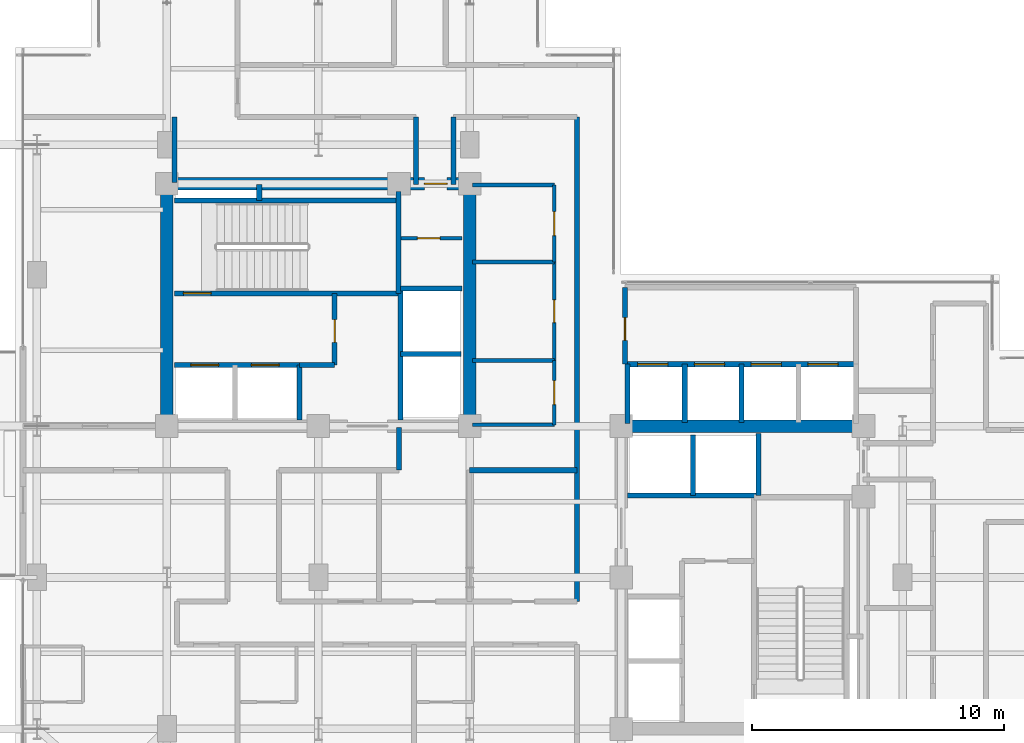
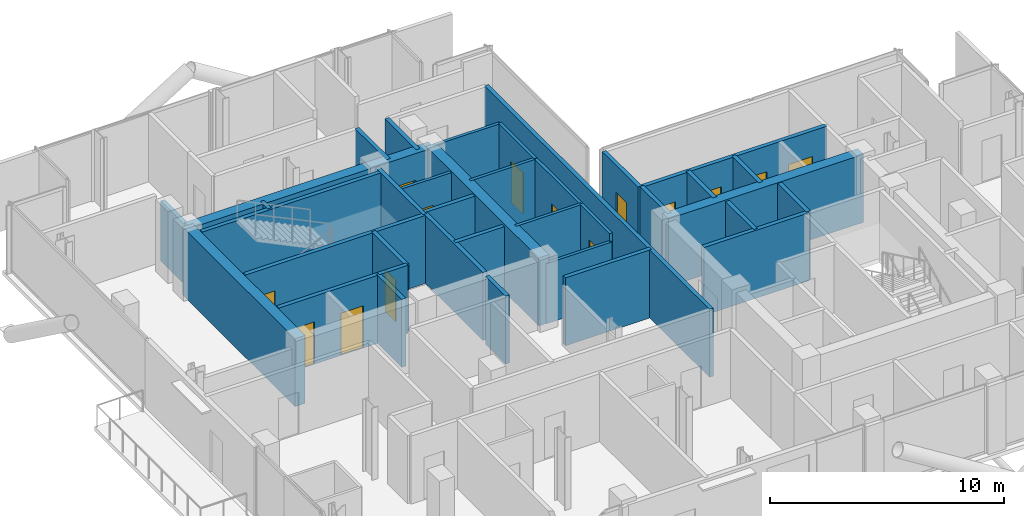
# One storey, part 18 of 22: 37 walls, 14 doors, 14 openings.
"""IFC4 building model written with IfcOpenShell, lengths in metres."""

from ifc_helpers import new_model, si_unit, direction, frame, frame_2d, origin, place, context, subcontext, project, spatial, rectangle, extrude, material, layer, layer_set, type_object, element, fill, save


model = new_model("IFC4")

# Units and contexts
model_context = context("Model", 3, precision=1e-05, world=origin(), true_north=direction((0.0, 1.0)))
body_context = subcontext(model_context, "Body", "Model", "MODEL_VIEW")
ifc_project = project(units=[si_unit("LENGTHUNIT", "METRE"), si_unit("AREAUNIT", "SQUARE_METRE"), si_unit("VOLUMEUNIT", "CUBIC_METRE"), si_unit("PLANEANGLEUNIT", "RADIAN"), si_unit("MASSUNIT", "GRAM", prefix="KILO"), si_unit("THERMODYNAMICTEMPERATUREUNIT", "KELVIN"), si_unit("POWERUNIT", "WATT")], contexts=[model_context])

# Site, building, storey
site_placement = place(None, origin())
site = spatial("IfcSite", under=ifc_project, at=site_placement, CompositionType="ELEMENT")
building_placement = place(site_placement, origin())
building = spatial("IfcBuilding", under=site, at=building_placement, Name="Svarakhadi Broadcast Tower", CompositionType="ELEMENT")
storey_placement = place(building_placement, frame((0.0, 0.0, 172.949951171875)))
storey = spatial("IfcBuildingStorey", under=building, at=storey_placement, Name="L42", CompositionType="ELEMENT", Elevation=172.949951171875)

# Walls
ifc_material_1 = material(Name="Double-Stud Acoustic Studio Partition STC-62", Category="gypsum")
ifc_layer_1 = layer(ifc_material_1, 0.199951171875)
ifc_layer_set_1 = layer_set([ifc_layer_1], Name="Double-Stud Acoustic Studio Partition STC-62")
wall_type_1 = type_object("IfcWallType", Name="Wall_Acoust_200", PredefinedType="PARTITIONING", material=ifc_layer_set_1)
wall_1_placement = place(storey_placement, frame((15.199951171875, 17.949951171875, 0.0), z_axis=(0.0, 0.0, 1.0), x_axis=(0.0, -1.0, 0.0)))
element("IfcWall", 1, at=wall_1_placement, inside=storey, type_object=wall_type_1, Name="L42 Zone 2/3 Corridor Wall", PredefinedType="PARTITIONING", context=body_context, shape_type="SweptSolid", body=[
    extrude(rectangle(XDim=1.699951171875, YDim=0.199951171875, at=frame_2d((0.85009765625, 0.0))), origin(), (0.0, 0.0, 1.0), 3.5400390625),
])
wall_2_placement = place(storey_placement, frame((22.25, 11.050048828125, 0.0), z_axis=(0.0, 0.0, 1.0), x_axis=(0.0, 1.0, 0.0)))
element("IfcWall", 2, at=wall_2_placement, inside=storey, type_object=wall_type_1, Name="L42 Zone 2/3 Corridor Wall", PredefinedType="PARTITIONING", context=body_context, shape_type="SweptSolid", body=[
    extrude(rectangle(XDim=19.199951171875, YDim=0.199951171875, at=frame_2d((9.60009765625, 0.0))), origin(), (0.0, 0.0, 1.0), 3.5400390625),
])
for number, where, z_axis, x_axis, name in (
    (3, (17.35009765625, 30.25, 0.0), (0.0, 0.0, 1.0), (0.0, -1.0, 0.0), "L42 Zone 2/3 Corridor Wall"),
    (4, (15.8798828125, 27.580078125, 0.0), (0.0, 0.0, 1.0), (0.0, 1.0, 0.0), "L42 Zone 2/3 Corridor Wall"),
):
    element("IfcWall", number, at=place(storey_placement, frame(where, z_axis=z_axis, x_axis=x_axis)), inside=storey, type_object=wall_type_1, Name=name, PredefinedType="PARTITIONING", context=body_context, shape_type="SweptSolid", body=[
        extrude(rectangle(XDim=2.669921875, YDim=0.199951171875, at=frame_2d((1.3349609375, 0.0))), origin(), (0.0, 0.0, 1.0), 3.5400390625),
    ])
wall_3_placement = place(storey_placement, frame((18.0, 16.25, 0.0), z_axis=(0.0, 0.0, 1.0), x_axis=(1.0, 0.0, 0.0)))
element("IfcWall", 5, at=wall_3_placement, inside=storey, type_object=wall_type_1, Name="L42 Accessible Floor Washroom WC Wall", PredefinedType="PARTITIONING", context=body_context, shape_type="SweptSolid", body=[
    extrude(rectangle(XDim=4.25, YDim=0.199951171875, at=frame_2d((2.125, 0.0))), origin(), (0.0, 0.0, 1.0), 3.5400390625),
])
wall_4_placement = place(storey_placement, frame((6.300048828125, 27.64990234375, 0.0), z_axis=(0.0, 0.0, 1.0), x_axis=(0.0, 1.0, 0.0)))
element("IfcWall", 6, at=wall_4_placement, inside=storey, type_object=wall_type_1, Name="L42 Guest Library Study Wall", PredefinedType="PARTITIONING", context=body_context, shape_type="SweptSolid", body=[
    extrude(rectangle(XDim=2.60009765625, YDim=0.199951171875, at=frame_2d((1.300048828125, 0.0))), origin(), (0.0, 0.0, 1.0), 3.132080078125),
])
ifc_material_2 = material(Name="Concrete C40/50 (IS 456 M50)", Category="concrete")
ifc_layer_2 = layer(ifc_material_2, 0.199951171875)
ifc_layer_set_2 = layer_set([ifc_layer_2], Name="Concrete C40/50 (IS 456 M50)")
wall_type_2 = type_object("IfcWallType", Name="Wall_Fire_200", PredefinedType="SOLIDWALL", material=ifc_layer_set_2)
wall_5_placement = place(storey_placement, frame((9.659912109375, 26.93994140625, 0.0), z_axis=(0.0, 0.0, 1.0), x_axis=(0.0, 1.0, 0.0)))
element("IfcWall", 7, at=wall_5_placement, inside=storey, type_object=wall_type_2, Name="L42 Wet Riser Shaft East Wall", PredefinedType="SOLIDWALL", context=body_context, shape_type="SweptSolid", body=[
    extrude(rectangle(XDim=0.64013671875, YDim=0.199951171875, at=frame_2d((0.320068359375, 0.0))), origin(), (0.0, 0.0, 1.0), 3.5400390625),
])

# Wall, opening, door
ifc_material_3 = material(Name="Autoclaved Aerated Concrete Blockwork 150 mm", Category="masonry")
ifc_layer_3 = layer(ifc_material_3, 0.14990234375)
ifc_layer_set_3 = layer_set([ifc_layer_3], Name="Autoclaved Aerated Concrete Blockwork 150 mm")
wall_type_3 = type_object("IfcWallType", Name="Wall_Part_150", PredefinedType="PARTITIONING", material=ifc_layer_set_3)
wall_6_placement = place(storey_placement, frame((15.280029296875, 25.43994140625, 0.0), z_axis=(0.0, 0.0, 1.0), x_axis=(1.0, 0.0, 0.0)))
wall_6 = element("IfcWall", 8, at=wall_6_placement, inside=storey, type_object=wall_type_3, Name="L42 West Core Service Split Wall", PredefinedType="PARTITIONING", context=body_context, shape_type="SweptSolid", body=[
    extrude(rectangle(XDim=2.419921875, YDim=0.14990234375, at=frame_2d((1.2099609375, 0.0))), origin(), (0.0, 0.0, 1.0), 3.5400390625),
])
opening_1_placement = place(wall_6_placement, frame((0.64990234375, 0.0, 0.0)))
opening_1 = element("IfcOpeningElement", 9, at=opening_1_placement, cuts=wall_6, Name="Opening D-03", PredefinedType="OPENING", context=body_context, shape_type="SweptSolid", body=[
    extrude(rectangle(XDim=0.89990234375, YDim=2.14990234375, at=frame_2d((0.449951171875, 1.074951171875))), frame((0.0, 0.0849609375, 0.0), z_axis=(0.0, -1.0, 0.0), x_axis=(1.0, 0.0, 0.0)), (0.0, 0.0, 1.0), 0.169921875),
])
ifc_material_4 = material(Name="Galvanised Powder-Coated Fire-Rated Steel Leaf", Category="steel")
door_type_1 = type_object("IfcDoorType", Name="Door_Fire_D03", OperationType="SINGLE_SWING_LEFT", PredefinedType="DOOR", material=ifc_material_4)
door_1_placement = place(opening_1_placement, origin())
door_1 = element("IfcDoor", 10, at=door_1_placement, inside=storey, type_object=door_type_1, Name="L42 West Core Inner Store Door", OperationType="SINGLE_SWING_LEFT", OverallHeight=2.14990234375, OverallWidth=0.89990234375, PredefinedType="DOOR", context=body_context, shape_type="SweptSolid", body=[
    extrude(rectangle(XDim=0.89990234375, YDim=2.14990234375, at=frame_2d((0.449951171875, 1.074951171875))), frame((0.0, 0.02490234375, 0.0), z_axis=(0.0, -1.0, 0.0), x_axis=(1.0, 0.0, 0.0)), (0.0, 0.0, 1.0), 0.050048828125),
])
fill(opening_1, door_1)

# Walls
wall_7_placement = place(storey_placement, frame((18.10009765625, 18.050048828125, 0.0), z_axis=(0.0, 0.0, 1.0), x_axis=(1.0, 0.0, 0.0)))
element("IfcWall", 11, at=wall_7_placement, inside=storey, type_object=wall_type_3, Name="L42 Hotel Floor Butler Service Pantry Wall", PredefinedType="PARTITIONING", context=body_context, shape_type="SweptSolid", body=[
    extrude(rectangle(XDim=3.25, YDim=0.14990234375, at=frame_2d((1.625, 0.0))), origin(), (0.0, 0.0, 1.0), 3.132080078125),
])
wall_8_placement = place(storey_placement, frame((18.10009765625, 20.60009765625, 0.0), z_axis=(0.0, 0.0, 1.0), x_axis=(1.0, 0.0, 0.0)))
element("IfcWall", 12, at=wall_8_placement, inside=storey, type_object=wall_type_3, Name="L42 Hotel Floor Butler Service Pantry Wall", PredefinedType="PARTITIONING", context=body_context, shape_type="SweptSolid", body=[
    extrude(rectangle(XDim=3.25, YDim=0.14990234375, at=frame_2d((1.625, 0.0))), origin(), (0.0, 0.0, 1.0), 3.5400390625),
])

# Wall, opening, door
wall_9_placement = place(storey_placement, frame((21.35009765625, 18.050048828125, 0.0), z_axis=(0.0, 0.0, 1.0), x_axis=(0.0, 1.0, 0.0)))
wall_9 = element("IfcWall", 13, at=wall_9_placement, inside=storey, type_object=wall_type_3, Name="L42 Hotel Floor Butler Service Pantry Wall", PredefinedType="PARTITIONING", context=body_context, shape_type="SweptSolid", body=[
    extrude(rectangle(XDim=2.550048828125, YDim=0.14990234375, at=frame_2d((1.27490234375, 0.0))), origin(), (0.0, 0.0, 1.0), 3.5400390625),
])
opening_2_placement = place(wall_9_placement, frame((0.800048828125, 0.0, 0.0)))
opening_2 = element("IfcOpeningElement", 14, at=opening_2_placement, cuts=wall_9, Name="Opening D-07", PredefinedType="OPENING", context=body_context, shape_type="SweptSolid", body=[
    extrude(rectangle(XDim=0.949951171875, YDim=2.14990234375, at=frame_2d((0.47509765625, 1.074951171875))), frame((0.0, 0.0849609375, 0.0), z_axis=(0.0, -1.0, 0.0), x_axis=(1.0, 0.0, 0.0)), (0.0, 0.0, 1.0), 0.169921875),
])
ifc_material_5 = material(Name="Solid-Core Teak Veneer Acoustic Timber Leaf", Category="wood")
door_type_2 = type_object("IfcDoorType", Name="Door_Office_D07", OperationType="SINGLE_SWING_RIGHT", PredefinedType="DOOR", material=ifc_material_5)
door_2_placement = place(opening_2_placement, origin())
door_2 = element("IfcDoor", 15, at=door_2_placement, inside=storey, type_object=door_type_2, Name="L42 Hotel Floor Butler Service Pantry Door", OperationType="SINGLE_SWING_RIGHT", OverallHeight=2.14990234375, OverallWidth=0.949951171875, PredefinedType="DOOR", context=body_context, shape_type="SweptSolid", body=[
    extrude(rectangle(XDim=0.949951171875, YDim=2.14990234375, at=frame_2d((0.47509765625, 1.074951171875))), frame((0.0, 0.02490234375, 0.0), z_axis=(0.0, -1.0, 0.0), x_axis=(1.0, 0.0, 0.0)), (0.0, 0.0, 1.0), 0.050048828125),
])
fill(opening_2, door_2)

# Wall
wall_10_placement = place(storey_placement, frame((18.10009765625, 24.5, 0.0), z_axis=(0.0, 0.0, 1.0), x_axis=(1.0, 0.0, 0.0)))
element("IfcWall", 16, at=wall_10_placement, inside=storey, type_object=wall_type_3, Name="L42 Accessible Guest Washroom WC Wall", PredefinedType="PARTITIONING", context=body_context, shape_type="SweptSolid", body=[
    extrude(rectangle(XDim=3.25, YDim=0.14990234375, at=frame_2d((1.625, 0.0))), origin(), (0.0, 0.0, 1.0), 3.5400390625),
])

# Wall, opening, door
wall_11_placement = place(storey_placement, frame((21.35009765625, 20.60009765625, 0.0), z_axis=(0.0, 0.0, 1.0), x_axis=(0.0, 1.0, 0.0)))
wall_11 = element("IfcWall", 17, at=wall_11_placement, inside=storey, type_object=wall_type_3, Name="L42 Accessible Guest Washroom WC Wall", PredefinedType="PARTITIONING", context=body_context, shape_type="SweptSolid", body=[
    extrude(rectangle(XDim=3.89990234375, YDim=0.14990234375, at=frame_2d((1.949951171875, 0.0))), origin(), (0.0, 0.0, 1.0), 3.5400390625),
])
opening_3_placement = place(wall_11_placement, frame((1.5, 0.0, 0.0)))
opening_3 = element("IfcOpeningElement", 18, at=opening_3_placement, cuts=wall_11, Name="Opening D-12", PredefinedType="OPENING", context=body_context, shape_type="SweptSolid", body=[
    extrude(rectangle(XDim=0.89990234375, YDim=2.10009765625, at=frame_2d((0.449951171875, 1.050048828125))), frame((0.0, 0.0849609375, 0.0), z_axis=(0.0, -1.0, 0.0), x_axis=(1.0, 0.0, 0.0)), (0.0, 0.0, 1.0), 0.169921875),
])
door_type_3 = type_object("IfcDoorType", Name="Door_WC_D01", OperationType="SINGLE_SWING_LEFT", PredefinedType="DOOR", material=ifc_material_5)
door_3_placement = place(opening_3_placement, origin())
door_3 = element("IfcDoor", 19, at=door_3_placement, inside=storey, type_object=door_type_3, Name="L42 Accessible Guest Washroom WC Door", OperationType="SINGLE_SWING_LEFT", OverallHeight=2.10009765625, OverallWidth=0.89990234375, PredefinedType="DOOR", context=body_context, shape_type="SweptSolid", body=[
    extrude(rectangle(XDim=0.89990234375, YDim=2.10009765625, at=frame_2d((0.449951171875, 1.050048828125))), frame((0.0, 0.02490234375, 0.0), z_axis=(0.0, -1.0, 0.0), x_axis=(1.0, 0.0, 0.0)), (0.0, 0.0, 1.0), 0.050048828125),
])
fill(opening_3, door_3)

# Wall
wall_12_placement = place(storey_placement, frame((18.10009765625, 27.550048828125, 0.0), z_axis=(0.0, 0.0, 1.0), x_axis=(1.0, 0.0, 0.0)))
element("IfcWall", 20, at=wall_12_placement, inside=storey, type_object=wall_type_3, Name="L42 Guest Concierge Valet Office Wall", PredefinedType="PARTITIONING", context=body_context, shape_type="SweptSolid", body=[
    extrude(rectangle(XDim=3.25, YDim=0.14990234375, at=frame_2d((1.625, 0.0))), origin(), (0.0, 0.0, 1.0), 3.5400390625),
])

# Wall, opening, door
wall_13_placement = place(storey_placement, frame((21.35009765625, 24.5, 0.0), z_axis=(0.0, 0.0, 1.0), x_axis=(0.0, 1.0, 0.0)))
wall_13 = element("IfcWall", 21, at=wall_13_placement, inside=storey, type_object=wall_type_3, Name="L42 Guest Concierge Valet Office Wall", PredefinedType="PARTITIONING", context=body_context, shape_type="SweptSolid", body=[
    extrude(rectangle(XDim=3.050048828125, YDim=0.14990234375, at=frame_2d((1.52490234375, 0.0))), origin(), (0.0, 0.0, 1.0), 3.5400390625),
])
opening_4_placement = place(wall_13_placement, frame((1.050048828125, 0.0, 0.0)))
opening_4 = element("IfcOpeningElement", 22, at=opening_4_placement, cuts=wall_13, Name="Opening D-07", PredefinedType="OPENING", context=body_context, shape_type="SweptSolid", body=[
    extrude(rectangle(XDim=0.949951171875, YDim=2.14990234375, at=frame_2d((0.47509765625, 1.074951171875))), frame((0.0, 0.0849609375, 0.0), z_axis=(0.0, -1.0, 0.0), x_axis=(1.0, 0.0, 0.0)), (0.0, 0.0, 1.0), 0.169921875),
])
door_4_placement = place(opening_4_placement, origin())
door_4 = element("IfcDoor", 23, at=door_4_placement, inside=storey, type_object=door_type_2, Name="L42 Guest Concierge Valet Office Door", OperationType="SINGLE_SWING_RIGHT", OverallHeight=2.14990234375, OverallWidth=0.949951171875, PredefinedType="DOOR", context=body_context, shape_type="SweptSolid", body=[
    extrude(rectangle(XDim=0.949951171875, YDim=2.14990234375, at=frame_2d((0.47509765625, 1.074951171875))), frame((0.0, 0.02490234375, 0.0), z_axis=(0.0, -1.0, 0.0), x_axis=(1.0, 0.0, 0.0)), (0.0, 0.0, 1.0), 0.050048828125),
])
fill(opening_4, door_4)

ifc_material_6 = material(Name="Concrete C50/60 (IS 456 M60)", Category="concrete")
ifc_layer_4 = layer(ifc_material_6, 0.199951171875)
ifc_layer_set_4 = layer_set([ifc_layer_4], Name="Concrete C50/60 (IS 456 M60)")
wall_type_4 = type_object("IfcWallType", Name="Wall_Shear_200", PredefinedType="SHEAR", material=ifc_layer_set_4)
wall_14_placement = place(storey_placement, frame((6.300048828125, 23.260009765625, 0.0), z_axis=(0.0, 0.0, 1.0), x_axis=(1.0, 0.0, 0.0)))
wall_14 = element("IfcWall", 24, at=wall_14_placement, inside=storey, type_object=wall_type_4, Name="L42 Stair ST-01 South RC Shaft Wall", PredefinedType="SHEAR", context=body_context, shape_type="SweptSolid", body=[
    extrude(rectangle(XDim=8.8798828125, YDim=0.199951171875, at=frame_2d((4.43994140625, 0.0))), origin(), (0.0, 0.0, 1.0), 3.5400390625),
])
opening_5_placement = place(wall_14_placement, frame((0.35009765625, 0.0, 0.0)))
opening_5 = element("IfcOpeningElement", 25, at=opening_5_placement, cuts=wall_14, Name="Opening D-01", PredefinedType="OPENING", context=body_context, shape_type="SweptSolid", body=[
    extrude(rectangle(XDim=1.10009765625, YDim=2.199951171875, at=frame_2d((0.550048828125, 1.10009765625))), frame((0.0, 0.10986328125, 0.0), z_axis=(0.0, -1.0, 0.0), x_axis=(1.0, 0.0, 0.0)), (0.0, 0.0, 1.0), 0.219970703125),
])
door_type_4 = type_object("IfcDoorType", Name="Door_Stair_D01", OperationType="SINGLE_SWING_LEFT", PredefinedType="DOOR", material=ifc_material_4)
door_5_placement = place(opening_5_placement, origin())
door_5 = element("IfcDoor", 26, at=door_5_placement, inside=storey, type_object=door_type_4, Name="L42 Protected Exit Stair ST-01 Fire Door", OperationType="SINGLE_SWING_LEFT", OverallHeight=2.199951171875, OverallWidth=1.10009765625, PredefinedType="DOOR", context=body_context, shape_type="SweptSolid", body=[
    extrude(rectangle(XDim=1.10009765625, YDim=2.199951171875, at=frame_2d((0.550048828125, 1.10009765625))), frame((0.0, 0.02490234375, 0.0), z_axis=(0.0, -1.0, 0.0), x_axis=(1.0, 0.0, 0.0)), (0.0, 0.0, 1.0), 0.050048828125),
])
fill(opening_5, door_5)

# Walls
wall_15_placement = place(storey_placement, frame((6.300048828125, 26.93994140625, 0.0), z_axis=(0.0, 0.0, 1.0), x_axis=(1.0, 0.0, 0.0)))
element("IfcWall", 27, at=wall_15_placement, inside=storey, type_object=wall_type_4, Name="L42 Stair ST-01 North RC Shaft Wall", PredefinedType="SHEAR", context=body_context, shape_type="SweptSolid", body=[
    extrude(rectangle(XDim=8.8798828125, YDim=0.199951171875, at=frame_2d((4.43994140625, 0.0))), origin(), (0.0, 0.0, 1.0), 3.5400390625),
])
wall_16_placement = place(storey_placement, frame((15.179931640625, 23.260009765625, 0.0), z_axis=(0.0, 0.0, 1.0), x_axis=(0.0, 1.0, 0.0)))
element("IfcWall", 28, at=wall_16_placement, inside=storey, type_object=wall_type_4, Name="L42 Stair ST-01 East RC Shaft Wall", PredefinedType="SHEAR", context=body_context, shape_type="SweptSolid", body=[
    extrude(rectangle(XDim=4.0400390625, YDim=0.199951171875, at=frame_2d((2.02001953125, 0.0))), origin(), (0.0, 0.0, 1.0), 3.5400390625),
])

# Wall, openings, doors
wall_17_placement = place(storey_placement, frame((6.300048828125, 20.419921875, 0.0), z_axis=(0.0, 0.0, 1.0), x_axis=(1.0, 0.0, 0.0)))
wall_17 = element("IfcWall", 29, at=wall_17_placement, inside=storey, type_object=wall_type_4, Name="L42 Firefighting Lift LF-01/02 Shaft Wall", PredefinedType="SHEAR", context=body_context, shape_type="SweptSolid", body=[
    extrude(rectangle(XDim=4.949951171875, YDim=0.199951171875, at=frame_2d((2.47509765625, 0.0))), origin(), (0.0, 0.0, 1.0), 3.5400390625),
])
opening_6_placement = place(wall_17_placement, frame((0.64990234375, 0.0, 0.0)))
opening_6 = element("IfcOpeningElement", 30, at=opening_6_placement, cuts=wall_17, Name="Opening LD-01", PredefinedType="OPENING", context=body_context, shape_type="SweptSolid", body=[
    extrude(rectangle(XDim=1.10009765625, YDim=2.199951171875, at=frame_2d((0.550048828125, 1.10009765625))), frame((0.0, 0.10986328125, 0.0), z_axis=(0.0, -1.0, 0.0), x_axis=(1.0, 0.0, 0.0)), (0.0, 0.0, 1.0), 0.219970703125),
])
opening_7_placement = place(wall_17_placement, frame((3.050048828125, 0.0, 0.0)))
opening_7 = element("IfcOpeningElement", 31, at=opening_7_placement, cuts=wall_17, Name="Opening LD-01", PredefinedType="OPENING", context=body_context, shape_type="SweptSolid", body=[
    extrude(rectangle(XDim=1.10009765625, YDim=2.199951171875, at=frame_2d((0.550048828125, 1.10009765625))), frame((0.0, 0.10986328125, 0.0), z_axis=(0.0, -1.0, 0.0), x_axis=(1.0, 0.0, 0.0)), (0.0, 0.0, 1.0), 0.219970703125),
])
door_type_5 = type_object("IfcDoorType", Name="Door_Lift_LD01", OperationType="SLIDING_TO_LEFT", PredefinedType="DOOR", material=ifc_material_4)
door_6_placement = place(opening_6_placement, origin())
door_6 = element("IfcDoor", 32, at=door_6_placement, inside=storey, type_object=door_type_5, Name="L42 Firefighting Lift LF-01 Landing Door", OperationType="SLIDING_TO_LEFT", OverallHeight=2.199951171875, OverallWidth=1.10009765625, PredefinedType="DOOR", context=body_context, shape_type="SweptSolid", body=[
    extrude(rectangle(XDim=1.10009765625, YDim=2.199951171875, at=frame_2d((0.550048828125, 1.10009765625))), frame((0.0, 0.02490234375, 0.0), z_axis=(0.0, -1.0, 0.0), x_axis=(1.0, 0.0, 0.0)), (0.0, 0.0, 1.0), 0.050048828125),
])
fill(opening_6, door_6)
door_7_placement = place(opening_7_placement, origin())
door_7 = element("IfcDoor", 33, at=door_7_placement, inside=storey, type_object=door_type_5, Name="L42 Firefighting Lift LF-02 Landing Door", OperationType="SLIDING_TO_LEFT", OverallHeight=2.199951171875, OverallWidth=1.10009765625, PredefinedType="DOOR", context=body_context, shape_type="SweptSolid", body=[
    extrude(rectangle(XDim=1.10009765625, YDim=2.199951171875, at=frame_2d((0.550048828125, 1.10009765625))), frame((0.0, 0.02490234375, 0.0), z_axis=(0.0, -1.0, 0.0), x_axis=(1.0, 0.0, 0.0)), (0.0, 0.0, 1.0), 0.050048828125),
])
fill(opening_7, door_7)

# Walls
wall_18_placement = place(storey_placement, frame((11.25, 18.25, 0.0), z_axis=(0.0, 0.0, 1.0), x_axis=(0.0, 1.0, 0.0)))
element("IfcWall", 34, at=wall_18_placement, inside=storey, type_object=wall_type_4, Name="L42 Firefighting Lift LF-02 East Wall", PredefinedType="SHEAR", context=body_context, shape_type="SweptSolid", body=[
    extrude(rectangle(XDim=2.169921875, YDim=0.199951171875, at=frame_2d((1.0849609375, 0.0))), origin(), (0.0, 0.0, 1.0), 3.5400390625),
])
wall_19_placement = place(storey_placement, frame((11.25, 20.419921875, 0.0), z_axis=(0.0, 0.0, 1.0), x_axis=(1.0, 0.0, 0.0)))
element("IfcWall", 35, at=wall_19_placement, inside=storey, type_object=wall_type_4, Name="L42 West Firefighting Lobby South Wall", PredefinedType="SHEAR", context=body_context, shape_type="SweptSolid", body=[
    extrude(rectangle(XDim=1.39990234375, YDim=0.199951171875, at=frame_2d((0.699951171875, 0.0))), origin(), (0.0, 0.0, 1.0), 3.5400390625),
])

# Wall, opening, door
wall_20_placement = place(storey_placement, frame((12.64990234375, 20.419921875, 0.0), z_axis=(0.0, 0.0, 1.0), x_axis=(0.0, 1.0, 0.0)))
wall_20 = element("IfcWall", 36, at=wall_20_placement, inside=storey, type_object=wall_type_4, Name="L42 West Firefighting Lobby East Wall", PredefinedType="SHEAR", context=body_context, shape_type="SweptSolid", body=[
    extrude(rectangle(XDim=2.840087890625, YDim=0.199951171875, at=frame_2d((1.419921875, 0.0))), origin(), (0.0, 0.0, 1.0), 3.5400390625),
])
opening_8_placement = place(wall_20_placement, frame((0.89990234375, 0.0, 0.0)))
opening_8 = element("IfcOpeningElement", 37, at=opening_8_placement, cuts=wall_20, Name="Opening D-03", PredefinedType="OPENING", context=body_context, shape_type="SweptSolid", body=[
    extrude(rectangle(XDim=0.89990234375, YDim=2.14990234375, at=frame_2d((0.449951171875, 1.074951171875))), frame((0.0, 0.10986328125, 0.0), z_axis=(0.0, -1.0, 0.0), x_axis=(1.0, 0.0, 0.0)), (0.0, 0.0, 1.0), 0.219970703125),
])
door_8_placement = place(opening_8_placement, origin())
door_8 = element("IfcDoor", 38, at=door_8_placement, inside=storey, type_object=door_type_1, Name="L42 West Firefighting Lobby Fire Door", OperationType="SINGLE_SWING_LEFT", OverallHeight=2.14990234375, OverallWidth=0.89990234375, PredefinedType="DOOR", context=body_context, shape_type="SweptSolid", body=[
    extrude(rectangle(XDim=0.89990234375, YDim=2.14990234375, at=frame_2d((0.449951171875, 1.074951171875))), frame((0.0, 0.02490234375, 0.0), z_axis=(0.0, -1.0, 0.0), x_axis=(1.0, 0.0, 0.0)), (0.0, 0.0, 1.0), 0.050048828125),
])
fill(opening_8, door_8)

# Walls
wall_21_placement = place(storey_placement, frame((15.25, 18.25, 0.0), z_axis=(0.0, 0.0, 1.0), x_axis=(0.0, 1.0, 0.0)))
element("IfcWall", 39, at=wall_21_placement, inside=storey, type_object=wall_type_4, Name="L42 High-Rise Lift LF-13/14 West Shaft Wall", PredefinedType="SHEAR", context=body_context, shape_type="SweptSolid", body=[
    extrude(rectangle(XDim=5.199951171875, YDim=0.199951171875, at=frame_2d((2.60009765625, 0.0))), origin(), (0.0, 0.0, 1.0), 3.5400390625),
])
wall_22_placement = place(storey_placement, frame((15.25, 20.85009765625, 0.0), z_axis=(0.0, 0.0, 1.0), x_axis=(1.0, 0.0, 0.0)))
element("IfcWall", 40, at=wall_22_placement, inside=storey, type_object=wall_type_4, Name="L42 High-Rise Lift LF-13/14 Divider", PredefinedType="SHEAR", context=body_context, shape_type="SweptSolid", body=[
    extrude(rectangle(XDim=2.39990234375, YDim=0.199951171875, at=frame_2d((1.199951171875, 0.0))), origin(), (0.0, 0.0, 1.0), 3.5400390625),
])
wall_23_placement = place(storey_placement, frame((15.25, 23.449951171875, 0.0), z_axis=(0.0, 0.0, 1.0), x_axis=(1.0, 0.0, 0.0)))
element("IfcWall", 41, at=wall_23_placement, inside=storey, type_object=wall_type_4, Name="L42 High-Rise Lift LF-13/14 North Wall", PredefinedType="SHEAR", context=body_context, shape_type="SweptSolid", body=[
    extrude(rectangle(XDim=2.449951171875, YDim=0.199951171875, at=frame_2d((1.22509765625, 0.0))), origin(), (0.0, 0.0, 1.0), 3.5400390625),
])
wall_24_placement = place(storey_placement, frame((24.25, 15.25, 0.0), z_axis=(0.0, 0.0, 1.0), x_axis=(1.0, 0.0, 0.0)))
element("IfcWall", 42, at=wall_24_placement, inside=storey, type_object=wall_type_4, Name="L42 High-Rise Lift LF-15/16 South Shaft Wall", PredefinedType="SHEAR", context=body_context, shape_type="SweptSolid", body=[
    extrude(rectangle(XDim=5.199951171875, YDim=0.199951171875, at=frame_2d((2.60009765625, 0.0))), origin(), (0.0, 0.0, 1.0), 3.5400390625),
])
wall_25_placement = place(storey_placement, frame((26.85009765625, 15.25, 0.0), z_axis=(0.0, 0.0, 1.0), x_axis=(0.0, 1.0, 0.0)))
element("IfcWall", 43, at=wall_25_placement, inside=storey, type_object=wall_type_4, Name="L42 High-Rise Lift LF-15/16 Divider", PredefinedType="SHEAR", context=body_context, shape_type="SweptSolid", body=[
    extrude(rectangle(XDim=2.39990234375, YDim=0.199951171875, at=frame_2d((1.199951171875, 0.0))), origin(), (0.0, 0.0, 1.0), 3.5400390625),
])
wall_26_placement = place(storey_placement, frame((29.449951171875, 15.25, 0.0), z_axis=(0.0, 0.0, 1.0), x_axis=(0.0, 1.0, 0.0)))
element("IfcWall", 44, at=wall_26_placement, inside=storey, type_object=wall_type_4, Name="L42 High-Rise Lift LF-15/16 East Wall", PredefinedType="SHEAR", context=body_context, shape_type="SweptSolid", body=[
    extrude(rectangle(XDim=2.449951171875, YDim=0.199951171875, at=frame_2d((1.22509765625, 0.0))), origin(), (0.0, 0.0, 1.0), 3.5400390625),
])
wall_27_placement = place(storey_placement, frame((24.25, 18.10009765625, 0.0), z_axis=(0.0, 0.0, 1.0), x_axis=(0.0, 1.0, 0.0)))
element("IfcWall", 45, at=wall_27_placement, inside=storey, type_object=wall_type_4, Name="L42 Bank B West Shaft Wall", PredefinedType="SHEAR", context=body_context, shape_type="SweptSolid", body=[
    extrude(rectangle(XDim=2.349853515625, YDim=0.199951171875, at=frame_2d((1.1748046875, 0.0))), origin(), (0.0, 0.0, 1.0), 3.5400390625),
])

# Wall, openings, doors
wall_28_placement = place(storey_placement, frame((24.25, 20.449951171875, 0.0), z_axis=(0.0, 0.0, 1.0), x_axis=(1.0, 0.0, 0.0)))
wall_28 = element("IfcWall", 46, at=wall_28_placement, inside=storey, type_object=wall_type_4, Name="L42 Bank B North Landing Wall", PredefinedType="SHEAR", context=body_context, shape_type="SweptSolid", body=[
    extrude(rectangle(XDim=9.050048828125, YDim=0.199951171875, at=frame_2d((4.52490234375, 0.0))), origin(), (0.0, 0.0, 1.0), 3.5400390625),
])
opening_9_placement = place(wall_28_placement, frame((0.39990234375, 0.0, 0.0)))
opening_9 = element("IfcOpeningElement", 47, at=opening_9_placement, cuts=wall_28, Name="Opening LD-02", PredefinedType="OPENING", context=body_context, shape_type="SweptSolid", body=[
    extrude(rectangle(XDim=1.199951171875, YDim=2.199951171875, at=frame_2d((0.60009765625, 1.10009765625))), frame((0.0, 0.10986328125, 0.0), z_axis=(0.0, -1.0, 0.0), x_axis=(1.0, 0.0, 0.0)), (0.0, 0.0, 1.0), 0.219970703125),
])
opening_10_placement = place(wall_28_placement, frame((2.64990234375, 0.0, 0.0)))
opening_10 = element("IfcOpeningElement", 48, at=opening_10_placement, cuts=wall_28, Name="Opening LD-02", PredefinedType="OPENING", context=body_context, shape_type="SweptSolid", body=[
    extrude(rectangle(XDim=1.199951171875, YDim=2.199951171875, at=frame_2d((0.60009765625, 1.10009765625))), frame((0.0, 0.10986328125, 0.0), z_axis=(0.0, -1.0, 0.0), x_axis=(1.0, 0.0, 0.0)), (0.0, 0.0, 1.0), 0.219970703125),
])
opening_11_placement = place(wall_28_placement, frame((4.89990234375, 0.0, 0.0)))
opening_11 = element("IfcOpeningElement", 49, at=opening_11_placement, cuts=wall_28, Name="Opening LD-02", PredefinedType="OPENING", context=body_context, shape_type="SweptSolid", body=[
    extrude(rectangle(XDim=1.199951171875, YDim=2.199951171875, at=frame_2d((0.60009765625, 1.10009765625))), frame((0.0, 0.10986328125, 0.0), z_axis=(0.0, -1.0, 0.0), x_axis=(1.0, 0.0, 0.0)), (0.0, 0.0, 1.0), 0.219970703125),
])
opening_12_placement = place(wall_28_placement, frame((7.14990234375, 0.0, 0.0)))
opening_12 = element("IfcOpeningElement", 50, at=opening_12_placement, cuts=wall_28, Name="Opening LD-02", PredefinedType="OPENING", context=body_context, shape_type="SweptSolid", body=[
    extrude(rectangle(XDim=1.199951171875, YDim=2.199951171875, at=frame_2d((0.60009765625, 1.10009765625))), frame((0.0, 0.10986328125, 0.0), z_axis=(0.0, -1.0, 0.0), x_axis=(1.0, 0.0, 0.0)), (0.0, 0.0, 1.0), 0.219970703125),
])
door_type_6 = type_object("IfcDoorType", Name="Door_Lift_LD02", OperationType="SLIDING_TO_RIGHT", PredefinedType="DOOR", material=ifc_material_4)
door_9_placement = place(opening_9_placement, origin())
door_9 = element("IfcDoor", 51, at=door_9_placement, inside=storey, type_object=door_type_6, Name="L42 Mid-Rise Lift LF-09 Landing Door", OperationType="SLIDING_TO_RIGHT", OverallHeight=2.199951171875, OverallWidth=1.199951171875, PredefinedType="DOOR", context=body_context, shape_type="SweptSolid", body=[
    extrude(rectangle(XDim=1.199951171875, YDim=2.199951171875, at=frame_2d((0.60009765625, 1.10009765625))), frame((0.0, 0.02490234375, 0.0), z_axis=(0.0, -1.0, 0.0), x_axis=(1.0, 0.0, 0.0)), (0.0, 0.0, 1.0), 0.050048828125),
])
fill(opening_9, door_9)
door_10_placement = place(opening_10_placement, origin())
door_10 = element("IfcDoor", 52, at=door_10_placement, inside=storey, type_object=door_type_6, Name="L42 Mid-Rise Lift LF-10 Landing Door", OperationType="SLIDING_TO_RIGHT", OverallHeight=2.199951171875, OverallWidth=1.199951171875, PredefinedType="DOOR", context=body_context, shape_type="SweptSolid", body=[
    extrude(rectangle(XDim=1.199951171875, YDim=2.199951171875, at=frame_2d((0.60009765625, 1.10009765625))), frame((0.0, 0.02490234375, 0.0), z_axis=(0.0, -1.0, 0.0), x_axis=(1.0, 0.0, 0.0)), (0.0, 0.0, 1.0), 0.050048828125),
])
fill(opening_10, door_10)
door_11_placement = place(opening_11_placement, origin())
door_11 = element("IfcDoor", 53, at=door_11_placement, inside=storey, type_object=door_type_6, Name="L42 Mid-Rise Lift LF-11 Landing Door", OperationType="SLIDING_TO_RIGHT", OverallHeight=2.199951171875, OverallWidth=1.199951171875, PredefinedType="DOOR", context=body_context, shape_type="SweptSolid", body=[
    extrude(rectangle(XDim=1.199951171875, YDim=2.199951171875, at=frame_2d((0.60009765625, 1.10009765625))), frame((0.0, 0.02490234375, 0.0), z_axis=(0.0, -1.0, 0.0), x_axis=(1.0, 0.0, 0.0)), (0.0, 0.0, 1.0), 0.050048828125),
])
fill(opening_11, door_11)
door_12_placement = place(opening_12_placement, origin())
door_12 = element("IfcDoor", 54, at=door_12_placement, inside=storey, type_object=door_type_6, Name="L42 Mid-Rise Lift LF-12 Landing Door", OperationType="SLIDING_TO_RIGHT", OverallHeight=2.199951171875, OverallWidth=1.199951171875, PredefinedType="DOOR", context=body_context, shape_type="SweptSolid", body=[
    extrude(rectangle(XDim=1.199951171875, YDim=2.199951171875, at=frame_2d((0.60009765625, 1.10009765625))), frame((0.0, 0.02490234375, 0.0), z_axis=(0.0, -1.0, 0.0), x_axis=(1.0, 0.0, 0.0)), (0.0, 0.0, 1.0), 0.050048828125),
])
fill(opening_12, door_12)

# Walls
for number, where, z_axis, x_axis, name in (
    (55, (26.52001953125, 18.14990234375, 0.0), (0.0, 0.0, 1.0), (0.0, 1.0, 0.0), "L42 Bank B Divider"),
    (56, (28.77001953125, 18.14990234375, 0.0), (0.0, 0.0, 1.0), (0.0, 1.0, 0.0), "L42 Bank B Divider"),
):
    element("IfcWall", number, at=place(storey_placement, frame(where, z_axis=z_axis, x_axis=x_axis)), inside=storey, type_object=wall_type_4, Name=name, PredefinedType="SHEAR", context=body_context, shape_type="SweptSolid", body=[
        extrude(rectangle(XDim=2.300048828125, YDim=0.199951171875, at=frame_2d((1.14990234375, 0.0))), origin(), (0.0, 0.0, 1.0), 3.5400390625),
    ])

# Wall, opening, door
wall_29_placement = place(storey_placement, frame((24.14990234375, 20.449951171875, 0.0), z_axis=(0.0, 0.0, 1.0), x_axis=(0.0, 1.0, 0.0)))
wall_29 = element("IfcWall", 57, at=wall_29_placement, inside=storey, type_object=wall_type_4, Name="L42 Bank B Lift Hall West Wall", PredefinedType="SHEAR", context=body_context, shape_type="SweptSolid", body=[
    extrude(rectangle(XDim=3.050048828125, YDim=0.199951171875, at=frame_2d((1.52490234375, 0.0))), origin(), (0.0, 0.0, 1.0), 3.5400390625),
])
opening_13_placement = place(wall_29_placement, frame((0.949951171875, 0.0, 0.0)))
opening_13 = element("IfcOpeningElement", 58, at=opening_13_placement, cuts=wall_29, Name="Opening D-04", PredefinedType="OPENING", context=body_context, shape_type="SweptSolid", body=[
    extrude(rectangle(XDim=0.89990234375, YDim=2.14990234375, at=frame_2d((0.449951171875, 1.074951171875))), frame((0.0, 0.10986328125, 0.0), z_axis=(0.0, -1.0, 0.0), x_axis=(1.0, 0.0, 0.0)), (0.0, 0.0, 1.0), 0.219970703125),
])
door_type_7 = type_object("IfcDoorType", Name="Door_Fire_D04", OperationType="SINGLE_SWING_RIGHT", PredefinedType="DOOR", material=ifc_material_4)
door_13_placement = place(opening_13_placement, origin())
door_13 = element("IfcDoor", 59, at=door_13_placement, inside=storey, type_object=door_type_7, Name="L42 Mid-Rise Lift Hall West Corridor Door", OperationType="SINGLE_SWING_RIGHT", OverallHeight=2.14990234375, OverallWidth=0.89990234375, PredefinedType="DOOR", context=body_context, shape_type="SweptSolid", body=[
    extrude(rectangle(XDim=0.89990234375, YDim=2.14990234375, at=frame_2d((0.449951171875, 1.074951171875))), frame((0.0, 0.02490234375, 0.0), z_axis=(0.0, -1.0, 0.0), x_axis=(1.0, 0.0, 0.0)), (0.0, 0.0, 1.0), 0.050048828125),
])
fill(opening_13, door_13)

ifc_layer_5 = layer(ifc_material_6, 0.5)
ifc_layer_set_5 = layer_set([ifc_layer_5], Name="Concrete C50/60 (IS 456 M60)")
wall_type_5 = type_object("IfcWallType", Name="Wall_Shear_500", PredefinedType="SHEAR", material=ifc_layer_set_5)
wall_30_placement = place(storey_placement, frame((6.0, 27.60009765625, 0.0), z_axis=(0.0, 0.0, 1.0), x_axis=(1.0, 0.0, 0.0)))
wall_30 = element("IfcWall", 60, at=wall_30_placement, inside=storey, type_object=wall_type_5, Name="L42 West Core North Shear Wall", PredefinedType="SHEAR", context=body_context, shape_type="SweptSolid", body=[
    extrude(rectangle(XDim=12.0, YDim=0.5, at=frame_2d((6.0, 0.0))), origin(), (0.0, 0.0, 1.0), 3.5400390625),
])
opening_14_placement = place(wall_30_placement, frame((10.199951171875, 0.0, 0.0)))
opening_14 = element("IfcOpeningElement", 61, at=opening_14_placement, cuts=wall_30, Name="Opening D-04", PredefinedType="OPENING", context=body_context, shape_type="SweptSolid", body=[
    extrude(rectangle(XDim=0.89990234375, YDim=2.14990234375, at=frame_2d((0.449951171875, 1.074951171875))), frame((0.0, 0.260009765625, 0.0), z_axis=(0.0, -1.0, 0.0), x_axis=(1.0, 0.0, 0.0)), (0.0, 0.0, 1.0), 0.52001953125),
])
door_14_placement = place(opening_14_placement, origin())
door_14 = element("IfcDoor", 62, at=door_14_placement, inside=storey, type_object=door_type_7, Name="L42 West Core Outer Store Door", OperationType="SINGLE_SWING_RIGHT", OverallHeight=2.14990234375, OverallWidth=0.89990234375, PredefinedType="DOOR", context=body_context, shape_type="SweptSolid", body=[
    extrude(rectangle(XDim=0.89990234375, YDim=2.14990234375, at=frame_2d((0.449951171875, 1.074951171875))), frame((0.0, 0.02490234375, 0.0), z_axis=(0.0, -1.0, 0.0), x_axis=(1.0, 0.0, 0.0)), (0.0, 0.0, 1.0), 0.050048828125),
])
fill(opening_14, door_14)

# Walls
for number, where, z_axis, x_axis, name in (
    (63, (6.0, 18.0, 0.0), (0.0, 0.0, 1.0), (0.0, 1.0, 0.0), "L42 West Core West Shear Wall"),
    (64, (18.0, 18.0, 0.0), (0.0, 0.0, 1.0), (0.0, 1.0, 0.0), "L42 West Core East Shear Wall"),
    (65, (24.0, 18.0, 0.0), (0.0, 0.0, 1.0), (1.0, 0.0, 0.0), "L42 East Core North Shear Wall"),
):
    element("IfcWall", number, at=place(storey_placement, frame(where, z_axis=z_axis, x_axis=x_axis)), inside=storey, type_object=wall_type_5, Name=name, PredefinedType="SHEAR", context=body_context, shape_type="SweptSolid", body=[
        extrude(rectangle(XDim=9.60009765625, YDim=0.5, at=frame_2d((4.800048828125, 0.0))), origin(), (0.0, 0.0, 1.0), 3.5400390625),
    ])

save(model, "model.ifc")
